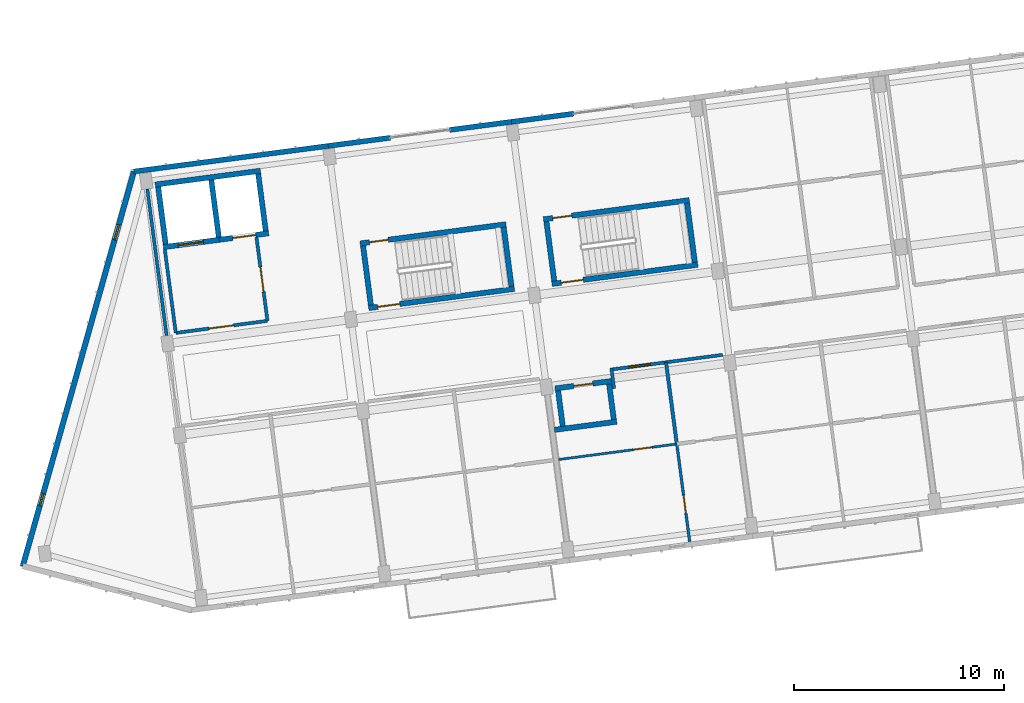
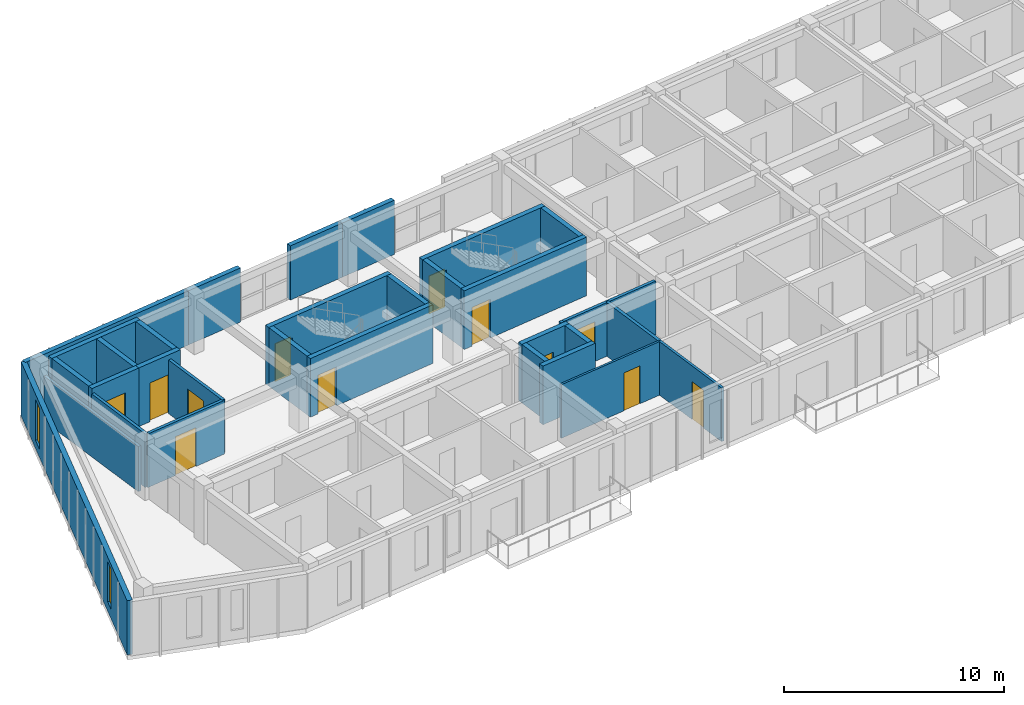
# One storey, part 22 of 64: 32 walls, 12 doors, 2 windows, 14 openings.
"""IFC4 building model written with IfcOpenShell, lengths in metres."""

from ifc_helpers import new_model, si_unit, direction, frame, frame_2d, origin, place, context, subcontext, project, spatial, rectangle, extrude, material, layer, layer_set, type_object, element, fill, save


model = new_model("IFC4")

# Units and contexts
model_context = context("Model", 3, precision=1e-05, world=origin(), true_north=direction((0.0, 1.0)))
body_context = subcontext(model_context, "Body", "Model", "MODEL_VIEW")
ifc_project = project(units=[si_unit("LENGTHUNIT", "METRE"), si_unit("AREAUNIT", "SQUARE_METRE"), si_unit("VOLUMEUNIT", "CUBIC_METRE"), si_unit("PLANEANGLEUNIT", "RADIAN"), si_unit("MASSUNIT", "GRAM", prefix="KILO")], contexts=[model_context])

# Site, building, storey
site_placement = place(None, origin())
site = spatial("IfcSite", under=ifc_project, at=site_placement, CompositionType="ELEMENT")
building_placement = place(site_placement, origin())
building = spatial("IfcBuilding", under=site, at=building_placement, Name="Kestramere Prow Commons", CompositionType="ELEMENT")
storey_placement = place(building_placement, frame((0.0, 0.0, 24.64990234375)))
storey = spatial("IfcBuildingStorey", under=building, at=storey_placement, Name="L07", CompositionType="ELEMENT", Elevation=24.64990234375)

# Wall, openings, windows
ifc_material_1 = material(Name="Weathered Zinc-Titanium Standing-Seam Cladding")
ifc_layer_1 = layer(ifc_material_1, 0.260009765625)
ifc_layer_set_1 = layer_set([ifc_layer_1], Name="Weathered Zinc-Titanium Standing-Seam Cladding")
wall_type_1 = type_object("IfcWallType", Name="EW-PROW-260", PredefinedType="SOLIDWALL", material=ifc_layer_set_1)
wall_1_placement = place(storey_placement, frame((2.7109375, 73.5048828125, 0.0), z_axis=(0.0, 0.0, 1.0), x_axis=(0.271165263368, 0.962532804606, 0.0)))
wall_1 = element("IfcWall", 1, at=wall_1_placement, inside=storey, type_object=wall_type_1, Name="Block A L07 PRW-N Facet Wall", PredefinedType="SOLIDWALL", context=body_context, shape_type="SweptSolid", body=[
    extrude(rectangle(XDim=19.5068359375, YDim=0.260009765625, at=frame_2d((9.75341796875, 0.0))), origin(), (0.0, 0.0, 1.0), 3.0),
])
opening_1_placement = place(wall_1_placement, frame((2.989990234375, 0.0, 0.52001953125)))
opening_1 = element("IfcOpeningElement", 2, at=opening_1_placement, cuts=wall_1, Name="Opening WN-02", PredefinedType="OPENING", context=body_context, shape_type="SweptSolid", body=[
    extrude(rectangle(XDim=0.60009765625, YDim=2.219970703125, at=frame_2d((0.300048828125, 1.10986328125))), frame((0.0, 0.14501953125, 0.0), z_axis=(0.0, -1.0, 0.0), x_axis=(1.0, 0.0, 0.0)), (0.0, 0.0, 1.0), 0.2900390625),
])
opening_2_placement = place(wall_1_placement, frame((16.136962890625, 0.0, 0.449951171875)))
opening_2 = element("IfcOpeningElement", 3, at=opening_2_placement, cuts=wall_1, Name="Opening WN-09", PredefinedType="OPENING", context=body_context, shape_type="SweptSolid", body=[
    extrude(rectangle(XDim=0.739990234375, YDim=2.260009765625, at=frame_2d((0.3701171875, 1.1298828125))), frame((0.0, 0.14501953125, 0.0), z_axis=(0.0, -1.0, 0.0), x_axis=(1.0, 0.0, 0.0)), (0.0, 0.0, 1.0), 0.2900390625),
])
ifc_material_2 = material(Name="Low-E Laminated Double Glazing", Category="glass")
window_type_1 = type_object("IfcWindowType", Name="WN-NAR-600A", PartitioningType="SINGLE_PANEL", PredefinedType="WINDOW", material=ifc_material_2)
window_1_placement = place(opening_1_placement, origin())
window_1 = element("IfcWindow", 4, at=window_1_placement, inside=storey, type_object=window_type_1, Name="WN-A-L07-PRW-N-0", OverallHeight=2.219970703125, OverallWidth=0.60009765625, PartitioningType="SINGLE_PANEL", PredefinedType="WINDOW", context=body_context, shape_type="SweptSolid", body=[
    extrude(rectangle(XDim=0.60009765625, YDim=2.219970703125, at=frame_2d((0.300048828125, 1.10986328125))), frame((0.0, 0.030029296875, 0.0), z_axis=(0.0, -1.0, 0.0), x_axis=(1.0, 0.0, 0.0)), (0.0, 0.0, 1.0), 0.06005859375),
])
fill(opening_1, window_1)
window_type_2 = type_object("IfcWindowType", Name="WN-NAR-740A", PartitioningType="SINGLE_PANEL", PredefinedType="WINDOW", material=ifc_material_2)
window_2_placement = place(opening_2_placement, origin())
window_2 = element("IfcWindow", 5, at=window_2_placement, inside=storey, type_object=window_type_2, Name="WN-A-L07-PRW-N-1", OverallHeight=2.260009765625, OverallWidth=0.739990234375, PartitioningType="SINGLE_PANEL", PredefinedType="WINDOW", context=body_context, shape_type="SweptSolid", body=[
    extrude(rectangle(XDim=0.739990234375, YDim=2.260009765625, at=frame_2d((0.3701171875, 1.1298828125))), frame((0.0, 0.030029296875, 0.0), z_axis=(0.0, -1.0, 0.0), x_axis=(1.0, 0.0, 0.0)), (0.0, 0.0, 1.0), 0.06005859375),
])
fill(opening_2, window_2)

# Walls
ifc_material_3 = material(Name="Fluoropolymer Standing-Seam Zinc-Aluminium Cladding", Category="aluminium")
ifc_layer_2 = layer(ifc_material_3, 0.239990234375)
ifc_layer_set_2 = layer_set([ifc_layer_2], Name="Fluoropolymer Standing-Seam Zinc-Aluminium Cladding")
wall_type_2 = type_object("IfcWallType", Name="EW-SEAM-240", PredefinedType="SOLIDWALL", material=ifc_layer_set_2)
wall_2_placement = place(storey_placement, frame((8.00048828125, 92.28076171875, 0.0), z_axis=(0.0, 0.0, 1.0), x_axis=(0.991442885224, 0.130541201693, 0.0)))
element("IfcWall", 6, at=wall_2_placement, inside=storey, type_object=wall_type_2, Name="Block A L07 North Standing-Seam Wall 1", PredefinedType="SOLIDWALL", context=body_context, shape_type="SweptSolid", body=[
    extrude(rectangle(XDim=9.324951171875, YDim=0.239990234375, at=frame_2d((4.66259765625, 0.0))), origin(), (0.0, 0.0, 1.0), 3.0),
])
for number, where, z_axis, x_axis, name in (
    (7, (17.24560546875, 93.498046875, 0.0), (0.0, 0.0, 1.0), (0.991451502252, 0.130475739826, 0.0), "Block A L07 North Standing-Seam Pier 2L"),
    (8, (23.020751953125, 94.25830078125, 0.0), (0.0, 0.0, 1.0), (0.991440883744, 0.130556401758, 0.0), "Block A L07 North Standing-Seam Pier 2R"),
):
    element("IfcWall", number, at=place(storey_placement, frame(where, z_axis=z_axis, x_axis=x_axis)), inside=storey, type_object=wall_type_2, Name=name, PredefinedType="SOLIDWALL", context=body_context, shape_type="SweptSolid", body=[
        extrude(rectangle(XDim=2.97509765625, YDim=0.239990234375, at=frame_2d((1.487548828125, 0.0))), origin(), (0.0, 0.0, 1.0), 3.0),
    ])
wall_3_placement = place(storey_placement, frame((25.970458984375, 94.646728515625, 0.0), z_axis=(0.0, 0.0, 1.0), x_axis=(0.991450105095, 0.130486356022, 0.0)))
element("IfcWall", 9, at=wall_3_placement, inside=storey, type_object=wall_type_2, Name="Block A L07 North Standing-Seam Pier 3L", PredefinedType="SOLIDWALL", context=body_context, shape_type="SweptSolid", body=[
    extrude(rectangle(XDim=2.974853515625, YDim=0.239990234375, at=frame_2d((1.4873046875, 0.0))), origin(), (0.0, 0.0, 1.0), 3.0),
])
ifc_material_4 = material(Name="Concrete C40/50", Category="concrete")
ifc_layer_3 = layer(ifc_material_4, 0.25)
ifc_layer_set_3 = layer_set([ifc_layer_3], Name="Concrete C40/50")
wall_type_3 = type_object("IfcWallType", Name="W-CORE-250", PredefinedType="SHEAR", material=ifc_layer_set_3)
wall_4_placement = place(storey_placement, frame((9.015380859375, 91.657958984375, 0.0), z_axis=(0.0, 0.0, 1.0), x_axis=(0.991444419808, 0.130529546201, 0.0)))
element("IfcWall", 10, at=wall_4_placement, inside=storey, type_object=wall_type_3, Name="Block A L07 Lift Core Back Wall", PredefinedType="SHEAR", context=body_context, shape_type="SweptSolid", body=[
    extrude(rectangle(XDim=5.050048828125, YDim=0.25, at=frame_2d((2.52490234375, 0.0))), origin(), (0.0, 0.0, 1.0), 3.25),
])

# Wall, opening, door
wall_5_placement = place(storey_placement, frame((9.406982421875, 88.68359375, 0.0), z_axis=(0.0, 0.0, 1.0), x_axis=(0.991434713833, 0.130603247307, 0.0)))
wall_5 = element("IfcWall", 11, at=wall_5_placement, inside=storey, type_object=wall_type_3, Name="Block A L07 Fire Lift Shaft Front Wall", PredefinedType="SHEAR", context=body_context, shape_type="SweptSolid", body=[
    extrude(rectangle(XDim=2.675048828125, YDim=0.25, at=frame_2d((1.33740234375, 0.0))), origin(), (0.0, 0.0, 1.0), 3.25),
])
opening_3_placement = place(wall_5_placement, frame((0.719970703125, 0.0, 0.0)))
opening_3 = element("IfcOpeningElement", 12, at=opening_3_placement, cuts=wall_5, Name="Opening LD-02", PredefinedType="OPENING", context=body_context, shape_type="SweptSolid", body=[
    extrude(rectangle(XDim=1.199951171875, YDim=2.199951171875, at=frame_2d((0.60009765625, 1.10009765625))), frame((0.0, 0.139892578125, 0.0), z_axis=(0.0, -1.0, 0.0), x_axis=(1.0, 0.0, 0.0)), (0.0, 0.0, 1.0), 0.280029296875),
])
ifc_material_5 = material(Name="Brushed Stainless Steel 316", Category="steel")
door_type_1 = type_object("IfcDoorType", Name="LD-02", OperationType="DOUBLE_DOOR_SLIDING", PredefinedType="DOOR", material=ifc_material_5)
door_1_placement = place(opening_3_placement, origin())
door_1 = element("IfcDoor", 13, at=door_1_placement, inside=storey, type_object=door_type_1, Name="FL-A1 L07 Lift Landing Door", OperationType="DOUBLE_DOOR_SLIDING", OverallHeight=2.199951171875, OverallWidth=1.199951171875, PredefinedType="DOOR", context=body_context, shape_type="SweptSolid", body=[
    extrude(rectangle(XDim=1.199951171875, YDim=2.199951171875, at=frame_2d((0.60009765625, 1.10009765625))), frame((0.0, 0.02490234375, 0.0), z_axis=(0.0, -1.0, 0.0), x_axis=(1.0, 0.0, 0.0)), (0.0, 0.0, 1.0), 0.050048828125),
])
fill(opening_3, door_1)

wall_6_placement = place(storey_placement, frame((12.05908203125, 89.032958984375, 0.0), z_axis=(0.0, 0.0, 1.0), x_axis=(0.99145534515, 0.130446535303, 0.0)))
wall_6 = element("IfcWall", 14, at=wall_6_placement, inside=storey, type_object=wall_type_3, Name="Block A L07 Passenger Lift Shaft Front Wall", PredefinedType="SHEAR", context=body_context, shape_type="SweptSolid", body=[
    extrude(rectangle(XDim=2.375, YDim=0.25, at=frame_2d((1.1875, 0.0))), origin(), (0.0, 0.0, 1.0), 3.25),
])
opening_4_placement = place(wall_6_placement, frame((0.64990234375, 0.0, 0.0)))
opening_4 = element("IfcOpeningElement", 15, at=opening_4_placement, cuts=wall_6, Name="Opening LD-01", PredefinedType="OPENING", context=body_context, shape_type="SweptSolid", body=[
    extrude(rectangle(XDim=1.10009765625, YDim=2.14990234375, at=frame_2d((0.550048828125, 1.074951171875))), frame((0.0, 0.139892578125, 0.0), z_axis=(0.0, -1.0, 0.0), x_axis=(1.0, 0.0, 0.0)), (0.0, 0.0, 1.0), 0.280029296875),
])
ifc_material_6 = material(Name="Brushed Stainless Steel 304", Category="steel")
door_type_2 = type_object("IfcDoorType", Name="LD-01", OperationType="DOUBLE_DOOR_SLIDING", PredefinedType="DOOR", material=ifc_material_6)
door_2_placement = place(opening_4_placement, origin())
door_2 = element("IfcDoor", 16, at=door_2_placement, inside=storey, type_object=door_type_2, Name="PL-A2 L07 Lift Landing Door", OperationType="DOUBLE_DOOR_SLIDING", OverallHeight=2.14990234375, OverallWidth=1.10009765625, PredefinedType="DOOR", context=body_context, shape_type="SweptSolid", body=[
    extrude(rectangle(XDim=1.10009765625, YDim=2.14990234375, at=frame_2d((0.550048828125, 1.074951171875))), frame((0.0, 0.02490234375, 0.0), z_axis=(0.0, -1.0, 0.0), x_axis=(1.0, 0.0, 0.0)), (0.0, 0.0, 1.0), 0.050048828125),
])
fill(opening_4, door_2)

# Walls
for number, where, z_axis, x_axis, name in (
    (17, (9.5146484375, 88.823974609375, 0.0), (0.0, 0.0, 1.0), (-0.130500441374, 0.991448251197, 0.0), "Block A L07 Lift Core Side Wall L"),
    (18, (12.042724609375, 89.15673828125, 0.0), (0.0, 0.0, 1.0), (-0.130500441374, 0.991448251197, 0.0), "Block A L07 Lift Core Side Wall M"),
    (19, (14.2734375, 89.450439453125, 0.0), (0.0, 0.0, 1.0), (-0.130500441374, 0.991448251197, 0.0), "Block A L07 Lift Core Side Wall R"),
):
    element("IfcWall", number, at=place(storey_placement, frame(where, z_axis=z_axis, x_axis=x_axis)), inside=storey, type_object=wall_type_3, Name=name, PredefinedType="SHEAR", context=body_context, shape_type="SweptSolid", body=[
        extrude(rectangle(XDim=2.75, YDim=0.25, at=frame_2d((1.375, 0.0))), origin(), (0.0, 0.0, 1.0), 3.25),
    ])

# Wall, opening, door
wall_7_placement = place(storey_placement, frame((18.764404296875, 88.856689453125, 0.0), z_axis=(0.0, 0.0, 1.0), x_axis=(0.991447052715, 0.13050954625, 0.0)))
wall_7 = element("IfcWall", 20, at=wall_7_placement, inside=storey, type_object=wall_type_3, Name="ST-A1 L07 North Shaft Wall", PredefinedType="SHEAR", context=body_context, shape_type="SweptSolid", body=[
    extrude(rectangle(XDim=7.0, YDim=0.25, at=frame_2d((3.5, 0.0))), origin(), (0.0, 0.0, 1.0), 3.25),
])
opening_5_placement = place(wall_7_placement, frame((0.449951171875, 0.0, 0.0)))
opening_5 = element("IfcOpeningElement", 21, at=opening_5_placement, cuts=wall_7, Name="Opening ID-08", PredefinedType="OPENING", context=body_context, shape_type="SweptSolid", body=[
    extrude(rectangle(XDim=0.89990234375, YDim=2.10009765625, at=frame_2d((0.449951171875, 1.050048828125))), frame((0.0, 0.139892578125, 0.0), z_axis=(0.0, -1.0, 0.0), x_axis=(1.0, 0.0, 0.0)), (0.0, 0.0, 1.0), 0.280029296875),
])
ifc_material_7 = material(Name="Engineered Timber Flush Door", Category="wood")
door_type_3 = type_object("IfcDoorType", Name="D-RM-01", OperationType="NOTDEFINED", PredefinedType="DOOR", material=ifc_material_7)
door_3_placement = place(opening_5_placement, origin())
door_3 = element("IfcDoor", 22, at=door_3_placement, inside=storey, type_object=door_type_3, Name="ST-A1 L07 North Room Door", OperationType="SINGLE_SWING_RIGHT", OverallHeight=2.10009765625, OverallWidth=0.89990234375, PredefinedType="DOOR", context=body_context, shape_type="SweptSolid", body=[
    extrude(rectangle(XDim=0.89990234375, YDim=2.10009765625, at=frame_2d((0.449951171875, 1.050048828125))), frame((0.0, 0.02490234375, 0.0), z_axis=(0.0, -1.0, 0.0), x_axis=(1.0, 0.0, 0.0)), (0.0, 0.0, 1.0), 0.050048828125),
])
fill(opening_5, door_3)

wall_8_placement = place(storey_placement, frame((19.169189453125, 85.783203125, 0.0), z_axis=(0.0, 0.0, 1.0), x_axis=(0.991446458634, 0.130514059249, 0.0)))
wall_8 = element("IfcWall", 23, at=wall_8_placement, inside=storey, type_object=wall_type_3, Name="ST-A1 L07 Corridor Shaft Wall", PredefinedType="SHEAR", context=body_context, shape_type="SweptSolid", body=[
    extrude(rectangle(XDim=6.999755859375, YDim=0.25, at=frame_2d((3.5, 0.0))), origin(), (0.0, 0.0, 1.0), 3.25),
])
opening_6_placement = place(wall_8_placement, frame((0.449951171875, 0.0, 0.0)))
opening_6 = element("IfcOpeningElement", 24, at=opening_6_placement, cuts=wall_8, Name="Opening ID-01", PredefinedType="OPENING", context=body_context, shape_type="SweptSolid", body=[
    extrude(rectangle(XDim=1.050048828125, YDim=2.14990234375, at=frame_2d((0.52490234375, 1.074951171875))), frame((0.0, 0.139892578125, 0.0), z_axis=(0.0, -1.0, 0.0), x_axis=(1.0, 0.0, 0.0)), (0.0, 0.0, 1.0), 0.280029296875),
])
ifc_material_8 = material(Name="Fire-Rated Timber and Steel Frame", Category="steel")
door_type_4 = type_object("IfcDoorType", Name="FD-ST-01", OperationType="NOTDEFINED", PredefinedType="DOOR", material=ifc_material_8)
door_4_placement = place(opening_6_placement, origin())
door_4 = element("IfcDoor", 25, at=door_4_placement, inside=storey, type_object=door_type_4, Name="ST-A1 L07 Protected Stair Door", OperationType="SINGLE_SWING_RIGHT", OverallHeight=2.14990234375, OverallWidth=1.050048828125, PredefinedType="DOOR", context=body_context, shape_type="SweptSolid", body=[
    extrude(rectangle(XDim=1.050048828125, YDim=2.14990234375, at=frame_2d((0.52490234375, 1.074951171875))), frame((0.0, 0.02490234375, 0.0), z_axis=(0.0, -1.0, 0.0), x_axis=(1.0, 0.0, 0.0)), (0.0, 0.0, 1.0), 0.050048828125),
])
fill(opening_6, door_4)

# Walls
for number, where, z_axis, x_axis, name in (
    (26, (19.27685546875, 85.92333984375, 0.0), (0.0, 0.0, 1.0), (-0.130547578832, 0.991442045538, 0.0), "ST-A1 L07 Near Shaft Wall"),
    (27, (25.968994140625, 86.804443359375, 0.0), (0.0, 0.0, 1.0), (-0.130547578832, 0.991442045538, 0.0), "ST-A1 L07 Far Shaft Wall"),
):
    element("IfcWall", number, at=place(storey_placement, frame(where, z_axis=z_axis, x_axis=x_axis)), inside=storey, type_object=wall_type_3, Name=name, PredefinedType="SHEAR", context=body_context, shape_type="SweptSolid", body=[
        extrude(rectangle(XDim=2.85009765625, YDim=0.25, at=frame_2d((1.425048828125, 0.0))), origin(), (0.0, 0.0, 1.0), 3.25),
    ])

# Wall, opening, door
wall_9_placement = place(storey_placement, frame((27.4892578125, 90.005126953125, 0.0), z_axis=(0.0, 0.0, 1.0), x_axis=(0.991441944909, 0.130548343059, 0.0)))
wall_9 = element("IfcWall", 28, at=wall_9_placement, inside=storey, type_object=wall_type_3, Name="ST-A2 L07 North Shaft Wall", PredefinedType="SHEAR", context=body_context, shape_type="SweptSolid", body=[
    extrude(rectangle(XDim=6.999755859375, YDim=0.25, at=frame_2d((3.5, 0.0))), origin(), (0.0, 0.0, 1.0), 3.25),
])
opening_7_placement = place(wall_9_placement, frame((0.449951171875, 0.0, 0.0)))
opening_7 = element("IfcOpeningElement", 29, at=opening_7_placement, cuts=wall_9, Name="Opening ID-08", PredefinedType="OPENING", context=body_context, shape_type="SweptSolid", body=[
    extrude(rectangle(XDim=0.89990234375, YDim=2.10009765625, at=frame_2d((0.449951171875, 1.050048828125))), frame((0.0, 0.139892578125, 0.0), z_axis=(0.0, -1.0, 0.0), x_axis=(1.0, 0.0, 0.0)), (0.0, 0.0, 1.0), 0.280029296875),
])
door_5_placement = place(opening_7_placement, origin())
door_5 = element("IfcDoor", 30, at=door_5_placement, inside=storey, type_object=door_type_3, Name="ST-A2 L07 North Room Door", OperationType="SINGLE_SWING_RIGHT", OverallHeight=2.10009765625, OverallWidth=0.89990234375, PredefinedType="DOOR", context=body_context, shape_type="SweptSolid", body=[
    extrude(rectangle(XDim=0.89990234375, YDim=2.10009765625, at=frame_2d((0.449951171875, 1.050048828125))), frame((0.0, 0.02490234375, 0.0), z_axis=(0.0, -1.0, 0.0), x_axis=(1.0, 0.0, 0.0)), (0.0, 0.0, 1.0), 0.050048828125),
])
fill(opening_7, door_5)

wall_10_placement = place(storey_placement, frame((27.893798828125, 86.931640625, 0.0), z_axis=(0.0, 0.0, 1.0), x_axis=(0.991442539299, 0.130543828916, 0.0)))
wall_10 = element("IfcWall", 31, at=wall_10_placement, inside=storey, type_object=wall_type_3, Name="ST-A2 L07 Corridor Shaft Wall", PredefinedType="SHEAR", context=body_context, shape_type="SweptSolid", body=[
    extrude(rectangle(XDim=7.0, YDim=0.25, at=frame_2d((3.5, 0.0))), origin(), (0.0, 0.0, 1.0), 3.25),
])
opening_8_placement = place(wall_10_placement, frame((0.449951171875, 0.0, 0.0)))
opening_8 = element("IfcOpeningElement", 32, at=opening_8_placement, cuts=wall_10, Name="Opening ID-01", PredefinedType="OPENING", context=body_context, shape_type="SweptSolid", body=[
    extrude(rectangle(XDim=1.050048828125, YDim=2.14990234375, at=frame_2d((0.52490234375, 1.074951171875))), frame((0.0, 0.139892578125, 0.0), z_axis=(0.0, -1.0, 0.0), x_axis=(1.0, 0.0, 0.0)), (0.0, 0.0, 1.0), 0.280029296875),
])
door_6_placement = place(opening_8_placement, origin())
door_6 = element("IfcDoor", 33, at=door_6_placement, inside=storey, type_object=door_type_4, Name="ST-A2 L07 Protected Stair Door", OperationType="SINGLE_SWING_RIGHT", OverallHeight=2.14990234375, OverallWidth=1.050048828125, PredefinedType="DOOR", context=body_context, shape_type="SweptSolid", body=[
    extrude(rectangle(XDim=1.050048828125, YDim=2.14990234375, at=frame_2d((0.52490234375, 1.074951171875))), frame((0.0, 0.02490234375, 0.0), z_axis=(0.0, -1.0, 0.0), x_axis=(1.0, 0.0, 0.0)), (0.0, 0.0, 1.0), 0.050048828125),
])
fill(opening_8, door_6)

# Walls
wall_11_placement = place(storey_placement, frame((28.00146484375, 87.072021484375, 0.0), z_axis=(0.0, 0.0, 1.0), x_axis=(-0.130547578832, 0.991442045538, 0.0)))
element("IfcWall", 34, at=wall_11_placement, inside=storey, type_object=wall_type_3, Name="ST-A2 L07 Near Shaft Wall", PredefinedType="SHEAR", context=body_context, shape_type="SweptSolid", body=[
    extrude(rectangle(XDim=2.85009765625, YDim=0.25, at=frame_2d((1.425048828125, 0.0))), origin(), (0.0, 0.0, 1.0), 3.25),
])
wall_12_placement = place(storey_placement, frame((34.693603515625, 87.953125, 0.0), z_axis=(0.0, 0.0, 1.0), x_axis=(-0.130474457355, 0.991451671025, 0.0)))
element("IfcWall", 35, at=wall_12_placement, inside=storey, type_object=wall_type_3, Name="ST-A2 L07 Far Shaft Wall", PredefinedType="SHEAR", context=body_context, shape_type="SweptSolid", body=[
    extrude(rectangle(XDim=2.849853515625, YDim=0.25, at=frame_2d((1.4248046875, 0.0))), origin(), (0.0, 0.0, 1.0), 3.25),
])

# Wall, opening, door
ifc_material_9 = material(Name="Fire-Rated Calcium Silicate Wall")
ifc_layer_4 = layer(ifc_material_9, 0.155029296875)
ifc_layer_set_4 = layer_set([ifc_layer_4], Name="Fire-Rated Calcium Silicate Wall")
wall_type_4 = type_object("IfcWallType", Name="W-FIRE-150", PredefinedType="PARTITIONING", material=ifc_layer_set_4)
wall_13_placement = place(storey_placement, frame((9.994873046875, 84.6005859375, 0.0), z_axis=(0.0, 0.0, 1.0), x_axis=(0.991448440179, 0.130499005613, 0.0)))
wall_13 = element("IfcWall", 36, at=wall_13_placement, inside=storey, type_object=wall_type_4, Name="Interior Partition PW-A-L07-FFL-S", PredefinedType="PARTITIONING", context=body_context, shape_type="SweptSolid", body=[
    extrude(rectangle(XDim=4.400146484375, YDim=0.155029296875, at=frame_2d((2.2001953125, 0.0))), origin(), (0.0, 0.0, 1.0), 2.97021484375),
])
opening_9_placement = place(wall_13_placement, frame((1.60009765625, 0.0, 0.0)))
opening_9 = element("IfcOpeningElement", 37, at=opening_9_placement, cuts=wall_13, Name="Opening ID-03", PredefinedType="OPENING", context=body_context, shape_type="SweptSolid", body=[
    extrude(rectangle(XDim=1.179931640625, YDim=2.14990234375, at=frame_2d((0.58984375, 1.074951171875))), frame((0.0, 0.092529296875, 0.0), z_axis=(0.0, -1.0, 0.0), x_axis=(1.0, 0.0, 0.0)), (0.0, 0.0, 1.0), 0.18505859375),
])
ifc_material_10 = material(Name="Fire-Rated Glazed Smoke-Stop Door")
door_type_5 = type_object("IfcDoorType", Name="FD-LB-01", OperationType="NOTDEFINED", PredefinedType="DOOR", material=ifc_material_10)
door_7_placement = place(opening_9_placement, origin())
door_7 = element("IfcDoor", 38, at=door_7_placement, inside=storey, type_object=door_type_5, Name="Interior Door DR-A-L07-FFL", OperationType="SINGLE_SWING_RIGHT", OverallHeight=2.14990234375, OverallWidth=1.179931640625, PredefinedType="DOOR", context=body_context, shape_type="SweptSolid", body=[
    extrude(rectangle(XDim=1.179931640625, YDim=2.14990234375, at=frame_2d((0.58984375, 1.074951171875))), frame((0.0, 0.02490234375, 0.0), z_axis=(0.0, -1.0, 0.0), x_axis=(1.0, 0.0, 0.0)), (0.0, 0.0, 1.0), 0.050048828125),
])
fill(opening_9, door_7)

# Wall
wall_14_placement = place(storey_placement, frame((9.994873046875, 84.6005859375, 0.0), z_axis=(0.0, 0.0, 1.0), x_axis=(-0.130492404742, 0.991449308994, 0.0)))
element("IfcWall", 39, at=wall_14_placement, inside=storey, type_object=wall_type_4, Name="Interior Partition PW-A-L07-FFL-W", PredefinedType="PARTITIONING", context=body_context, shape_type="SweptSolid", body=[
    extrude(rectangle(XDim=4.0, YDim=0.155029296875, at=frame_2d((2.0, 0.0))), origin(), (0.0, 0.0, 1.0), 2.97021484375),
])

# Wall, opening, door
wall_15_placement = place(storey_placement, frame((14.357421875, 85.1748046875, 0.0), z_axis=(0.0, 0.0, 1.0), x_axis=(-0.130552399509, 0.991441410766, 0.0)))
wall_15 = element("IfcWall", 40, at=wall_15_placement, inside=storey, type_object=wall_type_4, Name="Interior Partition PW-A-L07-FFL-E", PredefinedType="PARTITIONING", context=body_context, shape_type="SweptSolid", body=[
    extrude(rectangle(XDim=4.0, YDim=0.155029296875, at=frame_2d((2.0, 0.0))), origin(), (0.0, 0.0, 1.0), 2.97021484375),
])
opening_10_placement = place(wall_15_placement, frame((1.39990234375, 0.0, 0.0)))
opening_10 = element("IfcOpeningElement", 41, at=opening_10_placement, cuts=wall_15, Name="Opening ID-03", PredefinedType="OPENING", context=body_context, shape_type="SweptSolid", body=[
    extrude(rectangle(XDim=1.179931640625, YDim=2.14990234375, at=frame_2d((0.58984375, 1.074951171875))), frame((0.0, 0.092529296875, 0.0), z_axis=(0.0, -1.0, 0.0), x_axis=(1.0, 0.0, 0.0)), (0.0, 0.0, 1.0), 0.18505859375),
])
door_8_placement = place(opening_10_placement, origin())
door_8 = element("IfcDoor", 42, at=door_8_placement, inside=storey, type_object=door_type_5, Name="Interior Door DR-A-L07-FFL-PL", OperationType="SINGLE_SWING_LEFT", OverallHeight=2.14990234375, OverallWidth=1.179931640625, PredefinedType="DOOR", context=body_context, shape_type="SweptSolid", body=[
    extrude(rectangle(XDim=1.179931640625, YDim=2.14990234375, at=frame_2d((0.58984375, 1.074951171875))), frame((0.0, 0.02490234375, 0.0), z_axis=(0.0, -1.0, 0.0), x_axis=(1.0, 0.0, 0.0)), (0.0, 0.0, 1.0), 0.050048828125),
])
fill(opening_10, door_8)

# Wall
wall_16_placement = place(storey_placement, frame((30.849365234375, 81.949951171875, 0.0), z_axis=(0.0, 0.0, 1.0), x_axis=(-0.13055608231, 0.99144092581, 0.0)))
element("IfcWall", 43, at=wall_16_placement, inside=storey, type_object=wall_type_4, Name="Interior Partition PW-A-L07-HS-CLOSER", PredefinedType="PARTITIONING", context=body_context, shape_type="SweptSolid", body=[
    extrude(rectangle(XDim=0.994873046875, YDim=0.155029296875, at=frame_2d((0.49755859375, 0.0))), origin(), (0.0, 0.0, 1.0), 2.97021484375),
])

# Wall, opening, door
wall_17_placement = place(storey_placement, frame((30.80859375, 82.87255859375, 0.0), z_axis=(0.0, 0.0, 1.0), x_axis=(0.991447652655, 0.130504988581, 0.0)))
wall_17 = element("IfcWall", 44, at=wall_17_placement, inside=storey, type_object=wall_type_4, Name="Interior Partition PW-A-L07-CS-2", PredefinedType="PARTITIONING", context=body_context, shape_type="SweptSolid", body=[
    extrude(rectangle(XDim=5.2548828125, YDim=0.155029296875, at=frame_2d((2.62744140625, 0.0))), origin(), (0.0, 0.0, 1.0), 2.97021484375),
])
opening_11_placement = place(wall_17_placement, frame((0.758056640625, 0.0, 0.0)))
opening_11 = element("IfcOpeningElement", 45, at=opening_11_placement, cuts=wall_17, Name="Opening ID-05", PredefinedType="OPENING", context=body_context, shape_type="SweptSolid", body=[
    extrude(rectangle(XDim=1.02001953125, YDim=2.199951171875, at=frame_2d((0.510009765625, 1.10009765625))), frame((0.0, 0.092529296875, 0.0), z_axis=(0.0, -1.0, 0.0), x_axis=(1.0, 0.0, 0.0)), (0.0, 0.0, 1.0), 0.18505859375),
])
ifc_material_11 = material(Name="Hardwood Fire-Rated Flat Entrance Door", Category="wood")
door_type_6 = type_object("IfcDoorType", Name="FD-ENT-02", OperationType="NOTDEFINED", PredefinedType="DOOR", material=ifc_material_11)
door_9_placement = place(opening_11_placement, origin())
door_9 = element("IfcDoor", 46, at=door_9_placement, inside=storey, type_object=door_type_6, Name="Interior Door DR-A-L07-ENT-S2", OperationType="SINGLE_SWING_RIGHT", OverallHeight=2.199951171875, OverallWidth=1.02001953125, PredefinedType="DOOR", context=body_context, shape_type="SweptSolid", body=[
    extrude(rectangle(XDim=1.02001953125, YDim=2.199951171875, at=frame_2d((0.510009765625, 1.10009765625))), frame((0.0, 0.02490234375, 0.0), z_axis=(0.0, -1.0, 0.0), x_axis=(1.0, 0.0, 0.0)), (0.0, 0.0, 1.0), 0.050048828125),
])
fill(opening_11, door_9)

# Wall
ifc_layer_5 = layer(ifc_material_4, 0.25)
ifc_layer_set_5 = layer_set([ifc_layer_5], Name="Concrete C40/50")
wall_type_5 = type_object("IfcWallType", Name="W-HS-250", PredefinedType="SHEAR", material=ifc_layer_set_5)
wall_18_placement = place(storey_placement, frame((28.01123046875, 79.987548828125, 0.0), z_axis=(0.0, 0.0, 1.0), x_axis=(0.991439837467, 0.130564346904, 0.0)))
element("IfcWall", 47, at=wall_18_placement, inside=storey, type_object=wall_type_5, Name="Block A L07 Household Shelter South Wall", PredefinedType="SHEAR", context=body_context, shape_type="SweptSolid", body=[
    extrude(rectangle(XDim=2.989990234375, YDim=0.25, at=frame_2d((1.4951171875, 0.0))), origin(), (0.0, 0.0, 1.0), 3.25),
])

# Wall, opening, door
wall_19_placement = place(storey_placement, frame((28.044189453125, 81.958740234375, 0.0), z_axis=(0.0, 0.0, 1.0), x_axis=(0.991439824936, 0.130564442062, 0.0)))
wall_19 = element("IfcWall", 48, at=wall_19_placement, inside=storey, type_object=wall_type_5, Name="Block A L07 Household Shelter North Wall", PredefinedType="SHEAR", context=body_context, shape_type="SweptSolid", body=[
    extrude(rectangle(XDim=2.7001953125, YDim=0.25, at=frame_2d((1.35009765625, 0.0))), origin(), (0.0, 0.0, 1.0), 3.25),
])
opening_12_placement = place(wall_19_placement, frame((0.89990234375, 0.0, 0.0)))
opening_12 = element("IfcOpeningElement", 49, at=opening_12_placement, cuts=wall_19, Name="Opening ID-06", PredefinedType="OPENING", context=body_context, shape_type="SweptSolid", body=[
    extrude(rectangle(XDim=0.89990234375, YDim=2.050048828125, at=frame_2d((0.449951171875, 1.02490234375))), frame((0.0, 0.139892578125, 0.0), z_axis=(0.0, -1.0, 0.0), x_axis=(1.0, 0.0, 0.0)), (0.0, 0.0, 1.0), 0.280029296875),
])
ifc_material_12 = material(Name="Galvanised Steel S275JR Household Shelter Door", Category="steel")
door_type_7 = type_object("IfcDoorType", Name="FD-HS-01", OperationType="NOTDEFINED", PredefinedType="DOOR", material=ifc_material_12)
door_10_placement = place(opening_12_placement, origin())
door_10 = element("IfcDoor", 50, at=door_10_placement, inside=storey, type_object=door_type_7, Name="Block A L07 Household Shelter Blast Door", OperationType="SINGLE_SWING_LEFT", OverallHeight=2.050048828125, OverallWidth=0.89990234375, PredefinedType="DOOR", context=body_context, shape_type="SweptSolid", body=[
    extrude(rectangle(XDim=0.89990234375, YDim=2.050048828125, at=frame_2d((0.449951171875, 1.02490234375))), frame((0.0, 0.02490234375, 0.0), z_axis=(0.0, -1.0, 0.0), x_axis=(1.0, 0.0, 0.0)), (0.0, 0.0, 1.0), 0.050048828125),
])
fill(opening_12, door_10)

# Walls
wall_20_placement = place(storey_placement, frame((28.40625, 80.165771484375, 0.0), z_axis=(0.0, 0.0, 1.0), x_axis=(-0.130413643681, 0.991459672171, 0.0)))
element("IfcWall", 51, at=wall_20_placement, inside=storey, type_object=wall_type_5, Name="Block A L07 Household Shelter W Wall", PredefinedType="SHEAR", context=body_context, shape_type="SweptSolid", body=[
    extrude(rectangle(XDim=1.69970703125, YDim=0.25, at=frame_2d((0.849853515625, 0.0))), origin(), (0.0, 0.0, 1.0), 3.25),
])
wall_21_placement = place(storey_placement, frame((30.83544921875, 80.485595703125, 0.0), z_axis=(0.0, 0.0, 1.0), x_axis=(-0.1305548243, 0.991441091468, 0.0)))
element("IfcWall", 52, at=wall_21_placement, inside=storey, type_object=wall_type_5, Name="Block A L07 Household Shelter E Wall", PredefinedType="SHEAR", context=body_context, shape_type="SweptSolid", body=[
    extrude(rectangle(XDim=1.699951171875, YDim=0.25, at=frame_2d((0.85009765625, 0.0))), origin(), (0.0, 0.0, 1.0), 3.25),
])

# Wall, opening, door
ifc_material_13 = material(Name="Gypsum Acoustic Drywall")
ifc_layer_6 = layer(ifc_material_13, 0.110107421875)
ifc_layer_set_6 = layer_set([ifc_layer_6], Name="Gypsum Acoustic Drywall")
wall_type_6 = type_object("IfcWallType", Name="W-PART-110", PredefinedType="PARTITIONING", material=ifc_layer_set_6)
wall_22_placement = place(storey_placement, frame((28.2021484375, 78.575439453125, 0.0), z_axis=(0.0, 0.0, 1.0), x_axis=(0.991443173156, 0.130539014865, 0.0)))
wall_22 = element("IfcWall", 53, at=wall_22_placement, inside=storey, type_object=wall_type_6, Name="Interior Partition PW-A-L07-MIDS1-2", PredefinedType="PARTITIONING", context=body_context, shape_type="SweptSolid", body=[
    extrude(rectangle(XDim=5.679931640625, YDim=0.110107421875, at=frame_2d((2.83984375, 0.0))), origin(), (0.0, 0.0, 1.0), 2.97021484375),
])
opening_13_placement = place(wall_22_placement, frame((3.594970703125, 0.0, 0.0)))
opening_13 = element("IfcOpeningElement", 54, at=opening_13_placement, cuts=wall_22, Name="Opening ID-08", PredefinedType="OPENING", context=body_context, shape_type="SweptSolid", body=[
    extrude(rectangle(XDim=0.89990234375, YDim=2.10009765625, at=frame_2d((0.449951171875, 1.050048828125))), frame((0.0, 0.070068359375, 0.0), z_axis=(0.0, -1.0, 0.0), x_axis=(1.0, 0.0, 0.0)), (0.0, 0.0, 1.0), 0.14013671875),
])
door_11_placement = place(opening_13_placement, origin())
door_11 = element("IfcDoor", 55, at=door_11_placement, inside=storey, type_object=door_type_3, Name="Interior Door DR-A-L07-KL-S2", OperationType="SINGLE_SWING_RIGHT", OverallHeight=2.10009765625, OverallWidth=0.89990234375, PredefinedType="DOOR", context=body_context, shape_type="SweptSolid", body=[
    extrude(rectangle(XDim=0.89990234375, YDim=2.10009765625, at=frame_2d((0.449951171875, 1.050048828125))), frame((0.0, 0.02490234375, 0.0), z_axis=(0.0, -1.0, 0.0), x_axis=(1.0, 0.0, 0.0)), (0.0, 0.0, 1.0), 0.050048828125),
])
fill(opening_13, door_11)

ifc_material_14 = material(Name="Lightweight Blockwork and Plaster", Category="masonry")
ifc_layer_7 = layer(ifc_material_14, 0.1298828125)
ifc_layer_set_7 = layer_set([ifc_layer_7], Name="Lightweight Blockwork and Plaster")
wall_type_7 = type_object("IfcWallType", Name="W-PART-130", PredefinedType="PARTITIONING", material=ifc_layer_set_7)
wall_23_placement = place(storey_placement, frame((34.44580078125, 74.6669921875, 0.0), z_axis=(0.0, 0.0, 1.0), x_axis=(-0.130554157184, 0.991441179315, 0.0)))
wall_23 = element("IfcWall", 56, at=wall_23_placement, inside=storey, type_object=wall_type_7, Name="Interior Partition PW-A-L07-LB-S2", PredefinedType="PARTITIONING", context=body_context, shape_type="SweptSolid", body=[
    extrude(rectangle(XDim=4.68994140625, YDim=0.1298828125, at=frame_2d((2.344970703125, 0.0))), origin(), (0.0, 0.0, 1.0), 2.97021484375),
])
opening_14_placement = place(wall_23_placement, frame((1.35009765625, 0.0, 0.0)))
opening_14 = element("IfcOpeningElement", 57, at=opening_14_placement, cuts=wall_23, Name="Opening ID-10", PredefinedType="OPENING", context=body_context, shape_type="SweptSolid", body=[
    extrude(rectangle(XDim=0.8798828125, YDim=2.10009765625, at=frame_2d((0.43994140625, 1.050048828125))), frame((0.0, 0.079833984375, 0.0), z_axis=(0.0, -1.0, 0.0), x_axis=(1.0, 0.0, 0.0)), (0.0, 0.0, 1.0), 0.159912109375),
])
ifc_material_15 = material(Name="Engineered Timber Bedroom Door", Category="wood")
door_type_8 = type_object("IfcDoorType", Name="D-RM-03", OperationType="NOTDEFINED", PredefinedType="DOOR", material=ifc_material_15)
door_12_placement = place(opening_14_placement, origin())
door_12 = element("IfcDoor", 58, at=door_12_placement, inside=storey, type_object=door_type_8, Name="Interior Door DR-A-L07-BED-S2", OperationType="SINGLE_SWING_LEFT", OverallHeight=2.10009765625, OverallWidth=0.8798828125, PredefinedType="DOOR", context=body_context, shape_type="SweptSolid", body=[
    extrude(rectangle(XDim=0.8798828125, YDim=2.10009765625, at=frame_2d((0.43994140625, 1.050048828125))), frame((0.0, 0.02490234375, 0.0), z_axis=(0.0, -1.0, 0.0), x_axis=(1.0, 0.0, 0.0)), (0.0, 0.0, 1.0), 0.050048828125),
])
fill(opening_14, door_12)

# Walls
ifc_material_16 = material(Name="Masonry Compartment Wall", Category="masonry")
ifc_layer_8 = layer(ifc_material_16, 0.14990234375)
ifc_layer_set_8 = layer_set([ifc_layer_8], Name="Masonry Compartment Wall")
wall_type_8 = type_object("IfcWallType", Name="W-PART-150", PredefinedType="PARTITIONING", material=ifc_layer_set_8)
wall_24_placement = place(storey_placement, frame((9.557373046875, 84.477294921875, 0.0), z_axis=(0.0, 0.0, 1.0), x_axis=(-0.130541650614, 0.991442826115, 0.0)))
element("IfcWall", 59, at=wall_24_placement, inside=storey, type_object=wall_type_8, Name="Interior Partition PW-A-L07-PRW-N", PredefinedType="PARTITIONING", context=body_context, shape_type="SweptSolid", body=[
    extrude(rectangle(XDim=7.030029296875, YDim=0.14990234375, at=frame_2d((3.51513671875, 0.0))), origin(), (0.0, 0.0, 1.0), 2.5),
])
ifc_material_17 = material(Name="Waterproof Sanitary Masonry Wall", Category="masonry")
ifc_layer_9 = layer(ifc_material_17, 0.1650390625)
ifc_layer_set_9 = layer_set([ifc_layer_9], Name="Waterproof Sanitary Masonry Wall")
wall_type_9 = type_object("IfcWallType", Name="W-PLUMB-150", PredefinedType="PLUMBINGWALL", material=ifc_layer_set_9)
wall_25_placement = place(storey_placement, frame((33.83349609375, 79.31689453125, 0.0), z_axis=(0.0, 0.0, 1.0), x_axis=(-0.130478678745, 0.991451115483, 0.0)))
element("IfcWall", 60, at=wall_25_placement, inside=storey, type_object=wall_type_9, Name="Interior Partition PW-A-L07-KB-S2", PredefinedType="PLUMBINGWALL", context=body_context, shape_type="SweptSolid", body=[
    extrude(rectangle(XDim=3.919921875, YDim=0.1650390625, at=frame_2d((1.9599609375, 0.0))), origin(), (0.0, 0.0, 1.0), 2.97021484375),
])

save(model, "model.ifc")
